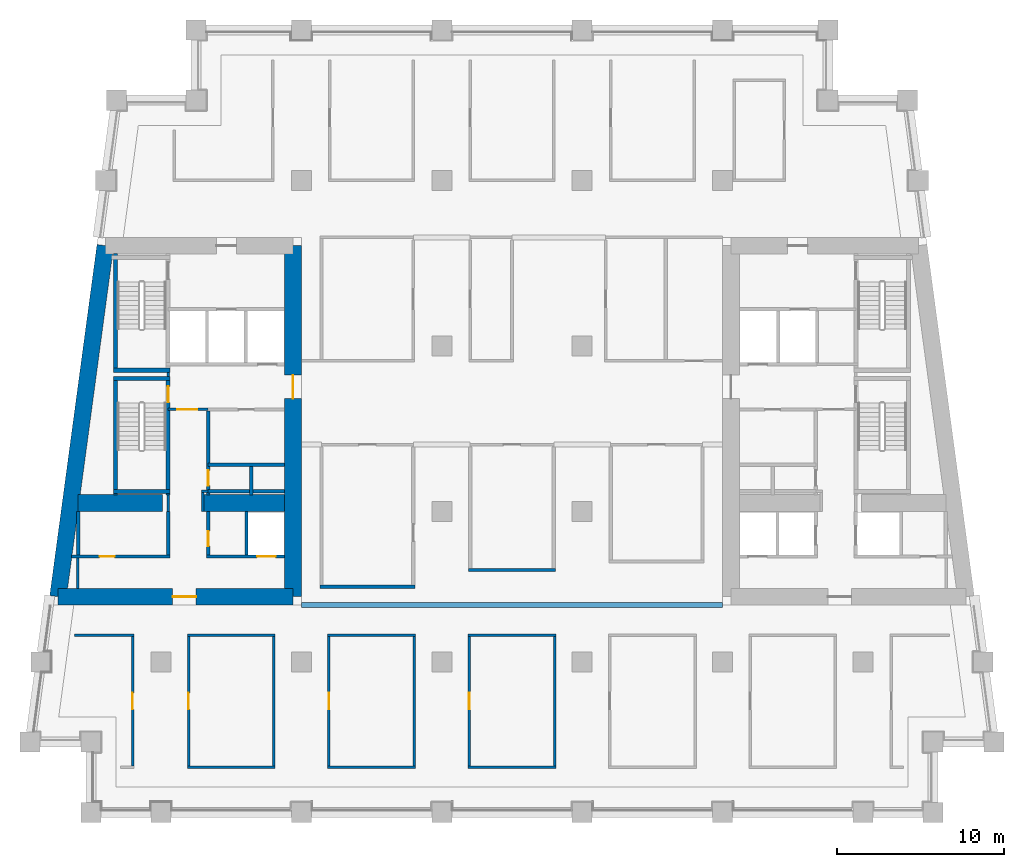
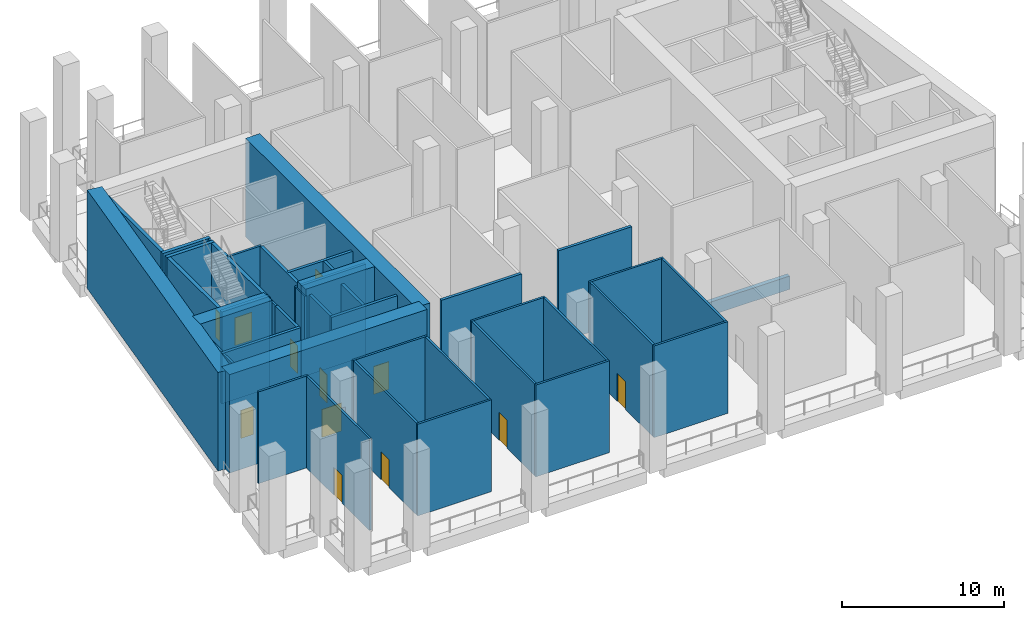
# One storey, part 2 of 10: 44 walls, 12 doors, 12 openings.
"""IFC4 building model written with IfcOpenShell, lengths in metres."""

from ifc_helpers import new_model, si_unit, direction, frame, frame_2d, origin, place, context, subcontext, project, spatial, rectangle, extrude, material, layer, layer_set, type_object, element, fill, save


model = new_model("IFC4")

# Units and contexts
model_context = context("Model", 3, precision=1e-05, world=origin(), true_north=direction((0.0, 1.0)))
body_context = subcontext(model_context, "Body", "Model", "MODEL_VIEW")
ifc_project = project(units=[si_unit("LENGTHUNIT", "METRE"), si_unit("AREAUNIT", "SQUARE_METRE"), si_unit("VOLUMEUNIT", "CUBIC_METRE"), si_unit("PLANEANGLEUNIT", "RADIAN"), si_unit("MASSUNIT", "GRAM", prefix="KILO")], contexts=[model_context])

# Site, building, storey
site_placement = place(None, origin())
site = spatial("IfcSite", under=ifc_project, at=site_placement, CompositionType="ELEMENT")
building_placement = place(site_placement, origin())
building = spatial("IfcBuilding", under=site, at=building_placement, Name="Candeia Pilgrim Tower and Theatre", CompositionType="ELEMENT")
storey_placement = place(building_placement, frame((0.0, 0.0, 135.39990234375)))
storey = spatial("IfcBuildingStorey", under=building, at=storey_placement, Name="L32", CompositionType="ELEMENT", Elevation=135.39990234375)

# Wall, opening, door
ifc_material_1 = material(Name="Concrete C70/85", Category="concrete")
ifc_layer_1 = layer(ifc_material_1, 1.0)
ifc_layer_set_1 = layer_set([ifc_layer_1], Name="Core wall 1000 C70/85")
wall_type_1 = type_object("IfcWallType", Name="Core wall 1000 C70/85", PredefinedType="SHEAR", material=ifc_layer_set_1)
wall_1_placement = place(storey_placement, frame((100.300048828125, 131.89990234375, 0.0), z_axis=(0.0, 0.0, 1.0), x_axis=(0.0, -1.0, 0.0)))
wall_1 = element("IfcWall", 1, at=wall_1_placement, inside=storey, type_object=wall_type_1, Name="Core wall W2", PredefinedType="SHEAR", context=body_context, shape_type="SweptSolid", body=[
    extrude(rectangle(XDim=21.0, YDim=1.0, at=frame_2d((10.5, 0.0))), origin(), (0.0, 0.0, 1.0), 7.400146484375),
])
opening_1_placement = place(wall_1_placement, frame((7.75, 0.0, 0.0)))
opening_1 = element("IfcOpeningElement", 2, at=opening_1_placement, cuts=wall_1, Name="Opening L32-D036", PredefinedType="OPENING", context=body_context, shape_type="SweptSolid", body=[
    extrude(rectangle(XDim=1.39990234375, YDim=2.10009765625, at=frame_2d((0.699951171875, 1.050048828125))), frame((0.0, 0.510009765625, 0.0), z_axis=(0.0, -1.0, 0.0), x_axis=(1.0, 0.0, 0.0)), (0.0, 0.0, 1.0), 1.02001953125),
])
ifc_material_2 = material(Name="Steel fire door set", Category="steel")
door_type_1 = type_object("IfcDoorType", Name="D-1400-FD60", OperationType="NOTDEFINED", PredefinedType="DOOR", material=ifc_material_2)
door_1_placement = place(opening_1_placement, origin())
door_1 = element("IfcDoor", 3, at=door_1_placement, inside=storey, type_object=door_type_1, Name="Door L32-D036", OperationType="SINGLE_SWING_RIGHT", OverallHeight=2.10009765625, OverallWidth=1.39990234375, PredefinedType="DOOR", context=body_context, shape_type="SweptSolid", body=[
    extrude(rectangle(XDim=1.39990234375, YDim=2.10009765625, at=frame_2d((0.699951171875, 1.050048828125))), frame((0.0, 0.02490234375, 0.0), z_axis=(0.0, -1.0, 0.0), x_axis=(1.0, 0.0, 0.0)), (0.0, 0.0, 1.0), 0.050048828125),
])
fill(opening_1, door_1)

wall_2_placement = place(storey_placement, frame((100.300048828125, 110.89990234375, 0.0), z_axis=(0.0, 0.0, 1.0), x_axis=(-1.0, 0.0, 0.0)))
wall_2 = element("IfcWall", 4, at=wall_2_placement, inside=storey, type_object=wall_type_1, Name="Core wall W3", PredefinedType="SHEAR", context=body_context, shape_type="SweptSolid", body=[
    extrude(rectangle(XDim=14.05908203125, YDim=1.0, at=frame_2d((7.029541015625, 0.0))), origin(), (0.0, 0.0, 1.0), 7.400146484375),
])
opening_2_placement = place(wall_2_placement, frame((5.801513671875, 0.0, 0.0)))
opening_2 = element("IfcOpeningElement", 5, at=opening_2_placement, cuts=wall_2, Name="Opening L32-D034", PredefinedType="OPENING", context=body_context, shape_type="SweptSolid", body=[
    extrude(rectangle(XDim=1.39990234375, YDim=2.10009765625, at=frame_2d((0.699951171875, 1.050048828125))), frame((0.0, 0.510009765625, 0.0), z_axis=(0.0, -1.0, 0.0), x_axis=(1.0, 0.0, 0.0)), (0.0, 0.0, 1.0), 1.02001953125),
])
door_2_placement = place(opening_2_placement, origin())
door_2 = element("IfcDoor", 6, at=door_2_placement, inside=storey, type_object=door_type_1, Name="Door L32-D034", OperationType="SINGLE_SWING_RIGHT", OverallHeight=2.10009765625, OverallWidth=1.39990234375, PredefinedType="DOOR", context=body_context, shape_type="SweptSolid", body=[
    extrude(rectangle(XDim=1.39990234375, YDim=2.10009765625, at=frame_2d((0.699951171875, 1.050048828125))), frame((0.0, 0.02490234375, 0.0), z_axis=(0.0, -1.0, 0.0), x_axis=(1.0, 0.0, 0.0)), (0.0, 0.0, 1.0), 0.050048828125),
])
fill(opening_2, door_2)

# Walls
wall_3_placement = place(storey_placement, frame((86.240966796875, 110.89990234375, 0.0), z_axis=(0.0, 0.0, 1.0), x_axis=(0.133411141623, 0.991060778808, 0.0)))
element("IfcWall", 7, at=wall_3_placement, inside=storey, type_object=wall_type_1, Name="Core wall W4", PredefinedType="SHEAR", context=body_context, shape_type="SweptSolid", body=[
    extrude(rectangle(XDim=21.189453125, YDim=1.0, at=frame_2d((10.5947265625, 0.0))), origin(), (0.0, 0.0, 1.0), 7.400146484375),
])
wall_4_placement = place(storey_placement, frame((87.423095703125, 116.5, 0.0), z_axis=(0.0, 0.0, 1.0), x_axis=(1.0, 0.0, 0.0)))
element("IfcWall", 8, at=wall_4_placement, inside=storey, type_object=wall_type_1, Name="Core wall W5", PredefinedType="SHEAR", context=body_context, shape_type="SweptSolid", body=[
    extrude(rectangle(XDim=5.076904296875, YDim=1.0, at=frame_2d((2.53857421875, 0.0))), origin(), (0.0, 0.0, 1.0), 7.400146484375),
])
wall_5_placement = place(storey_placement, frame((94.89990234375, 116.5, 0.0), z_axis=(0.0, 0.0, 1.0), x_axis=(1.0, 0.0, 0.0)))
element("IfcWall", 9, at=wall_5_placement, inside=storey, type_object=wall_type_1, Name="Core wall W6", PredefinedType="SHEAR", context=body_context, shape_type="SweptSolid", body=[
    extrude(rectangle(XDim=4.900146484375, YDim=1.0, at=frame_2d((2.4501953125, 0.0))), origin(), (0.0, 0.0, 1.0), 7.400146484375),
])
ifc_material_3 = material(Name="Concrete C30/37", Category="concrete")
ifc_layer_2 = layer(ifc_material_3, 0.300048828125)
ifc_layer_set_2 = layer_set([ifc_layer_2], Name="PL-300 planter kerb")
wall_type_2 = type_object("IfcWallType", Name="PL-300 planter kerb", PredefinedType="PARTITIONING", material=ifc_layer_set_2)
wall_6_placement = place(storey_placement, frame((100.800048828125, 110.39990234375, 0.0), z_axis=(0.0, 0.0, 1.0), x_axis=(1.0, 0.0, 0.0)))
element("IfcWall", 10, at=wall_6_placement, inside=storey, type_object=wall_type_2, Name="Planter kerb L32-015", PredefinedType="PARTITIONING", context=body_context, shape_type="SweptSolid", body=[
    extrude(rectangle(XDim=25.199951171875, YDim=0.300048828125, at=frame_2d((12.60009765625, 0.0))), origin(), (0.0, 0.0, 1.0), 1.0),
])
ifc_material_4 = material(Name="Gypsum board partition on steel studs", Category="steel")
ifc_layer_3 = layer(ifc_material_4, 0.14990234375)
ifc_layer_set_3 = layer_set([ifc_layer_3], Name="PW-150 lobby wall")
wall_type_3 = type_object("IfcWallType", Name="PW-150 lobby wall", PredefinedType="PARTITIONING", material=ifc_layer_set_3)
wall_7_placement = place(storey_placement, frame((94.824951171875, 117.199951171875, 0.0), z_axis=(0.0, 0.0, 1.0), x_axis=(1.0, 0.0, 0.0)))
element("IfcWall", 11, at=wall_7_placement, inside=storey, type_object=wall_type_3, Name="Lobby wall L32-025", PredefinedType="PARTITIONING", context=body_context, shape_type="SweptSolid", body=[
    extrude(rectangle(XDim=0.402099609375, YDim=0.14990234375, at=frame_2d((0.201171875, 0.0))), origin(), (0.0, 0.0, 1.0), 6.900146484375),
])

# Wall, opening, door
wall_8_placement = place(storey_placement, frame((92.826904296875, 122.10009765625, 0.0), z_axis=(0.0, 0.0, 1.0), x_axis=(1.0, 0.0, 0.0)))
wall_8 = element("IfcWall", 12, at=wall_8_placement, inside=storey, type_object=wall_type_3, Name="Lobby wall L32-040", PredefinedType="PARTITIONING", context=body_context, shape_type="SweptSolid", body=[
    extrude(rectangle(XDim=2.400146484375, YDim=0.14990234375, at=frame_2d((1.2001953125, 0.0))), origin(), (0.0, 0.0, 1.0), 6.900146484375),
])
opening_3_placement = place(wall_8_placement, frame((0.550048828125, 0.0, 0.0)))
opening_3 = element("IfcOpeningElement", 13, at=opening_3_placement, cuts=wall_8, Name="Opening L32-D021", PredefinedType="OPENING", context=body_context, shape_type="SweptSolid", body=[
    extrude(rectangle(XDim=1.199951171875, YDim=2.10009765625, at=frame_2d((0.60009765625, 1.050048828125))), frame((0.0, 0.0849609375, 0.0), z_axis=(0.0, -1.0, 0.0), x_axis=(1.0, 0.0, 0.0)), (0.0, 0.0, 1.0), 0.169921875),
])
door_type_2 = type_object("IfcDoorType", Name="D-1200-FD60", OperationType="NOTDEFINED", PredefinedType="DOOR", material=ifc_material_2)
door_3_placement = place(opening_3_placement, origin())
door_3 = element("IfcDoor", 14, at=door_3_placement, inside=storey, type_object=door_type_2, Name="Door L32-D021", OperationType="SINGLE_SWING_LEFT", OverallHeight=2.10009765625, OverallWidth=1.199951171875, PredefinedType="DOOR", context=body_context, shape_type="SweptSolid", body=[
    extrude(rectangle(XDim=1.199951171875, YDim=2.10009765625, at=frame_2d((0.60009765625, 1.050048828125))), frame((0.0, 0.02490234375, 0.0), z_axis=(0.0, -1.0, 0.0), x_axis=(1.0, 0.0, 0.0)), (0.0, 0.0, 1.0), 0.050048828125),
])
fill(opening_3, door_3)

# Walls
wall_9_placement = place(storey_placement, frame((87.428955078125, 111.39990234375, 0.0), z_axis=(0.0, 0.0, 1.0), x_axis=(0.0, 1.0, 0.0)))
element("IfcWall", 15, at=wall_9_placement, inside=storey, type_object=wall_type_3, Name="Lobby wall L32-069", PredefinedType="PARTITIONING", context=body_context, shape_type="SweptSolid", body=[
    extrude(rectangle(XDim=1.800048828125, YDim=0.14990234375, at=frame_2d((0.89990234375, 0.0))), origin(), (0.0, 0.0, 1.0), 6.900146484375),
])
wall_10_placement = place(storey_placement, frame((92.826904296875, 116.0, 0.0), z_axis=(0.0, 0.0, 1.0), x_axis=(0.0, 1.0, 0.0)))
element("IfcWall", 16, at=wall_10_placement, inside=storey, type_object=wall_type_3, Name="Lobby wall L32-074", PredefinedType="PARTITIONING", context=body_context, shape_type="SweptSolid", body=[
    extrude(rectangle(XDim=0.969970703125, YDim=0.14990234375, at=frame_2d((0.48486328125, 0.0))), origin(), (0.0, 0.0, 1.0), 6.900146484375),
])
wall_11_placement = place(storey_placement, frame((92.826904296875, 124.074951171875, 0.0), z_axis=(0.0, 0.0, 1.0), x_axis=(0.0, 1.0, 0.0)))
element("IfcWall", 17, at=wall_11_placement, inside=storey, type_object=wall_type_3, Name="Lobby wall L32-075", PredefinedType="PARTITIONING", context=body_context, shape_type="SweptSolid", body=[
    extrude(rectangle(XDim=0.25, YDim=0.14990234375, at=frame_2d((0.125, 0.0))), origin(), (0.0, 0.0, 1.0), 6.900146484375),
])
wall_12_placement = place(storey_placement, frame((94.89990234375, 116.0, 0.0), z_axis=(0.0, 0.0, 1.0), x_axis=(0.0, 1.0, 0.0)))
element("IfcWall", 18, at=wall_12_placement, inside=storey, type_object=wall_type_3, Name="Lobby wall L32-080", PredefinedType="PARTITIONING", context=body_context, shape_type="SweptSolid", body=[
    extrude(rectangle(XDim=1.125, YDim=0.14990234375, at=frame_2d((0.5625, 0.0))), origin(), (0.0, 0.0, 1.0), 6.900146484375),
])
ifc_layer_4 = layer(ifc_material_4, 0.14990234375)
ifc_layer_set_4 = layer_set([ifc_layer_4], Name="PW-150 unit wall")
wall_type_4 = type_object("IfcWallType", Name="PW-150 unit wall", PredefinedType="PARTITIONING", material=ifc_layer_set_4)
for number, where, z_axis, x_axis, name in (
    (19, (93.97509765625, 100.699951171875, 0.0), (0.0, 0.0, 1.0), (1.0, 0.0, 0.0), "Unit wall L32-002"),
    (20, (102.375, 100.699951171875, 0.0), (0.0, 0.0, 1.0), (1.0, 0.0, 0.0), "Unit wall L32-003"),
    (21, (110.77490234375, 100.699951171875, 0.0), (0.0, 0.0, 1.0), (1.0, 0.0, 0.0), "Unit wall L32-004"),
):
    element("IfcWall", number, at=place(storey_placement, frame(where, z_axis=z_axis, x_axis=x_axis)), inside=storey, type_object=wall_type_4, Name=name, PredefinedType="PARTITIONING", context=body_context, shape_type="SweptSolid", body=[
        extrude(rectangle(XDim=5.25, YDim=0.14990234375, at=frame_2d((2.625, 0.0))), origin(), (0.0, 0.0, 1.0), 6.900146484375),
    ])
wall_13_placement = place(storey_placement, frame((87.233154296875, 108.60009765625, 0.0), z_axis=(0.0, 0.0, 1.0), x_axis=(1.0, 0.0, 0.0)))
element("IfcWall", 22, at=wall_13_placement, inside=storey, type_object=wall_type_4, Name="Unit wall L32-008", PredefinedType="PARTITIONING", context=body_context, shape_type="SweptSolid", body=[
    extrude(rectangle(XDim=3.541748046875, YDim=0.14990234375, at=frame_2d((1.77099609375, 0.0))), origin(), (0.0, 0.0, 1.0), 6.900146484375),
])
for number, where, z_axis, x_axis, name in (
    (23, (93.97509765625, 108.60009765625, 0.0), (0.0, 0.0, 1.0), (1.0, 0.0, 0.0), "Unit wall L32-009"),
    (24, (102.375, 108.60009765625, 0.0), (0.0, 0.0, 1.0), (1.0, 0.0, 0.0), "Unit wall L32-010"),
    (25, (110.77490234375, 108.60009765625, 0.0), (0.0, 0.0, 1.0), (1.0, 0.0, 0.0), "Unit wall L32-011"),
):
    element("IfcWall", number, at=place(storey_placement, frame(where, z_axis=z_axis, x_axis=x_axis)), inside=storey, type_object=wall_type_4, Name=name, PredefinedType="PARTITIONING", context=body_context, shape_type="SweptSolid", body=[
        extrude(rectangle(XDim=5.25, YDim=0.14990234375, at=frame_2d((2.625, 0.0))), origin(), (0.0, 0.0, 1.0), 6.900146484375),
    ])

# Wall, opening, door
wall_14_placement = place(storey_placement, frame((90.699951171875, 100.77490234375, 0.0), z_axis=(0.0, 0.0, 1.0), x_axis=(0.0, 1.0, 0.0)))
wall_14 = element("IfcWall", 26, at=wall_14_placement, inside=storey, type_object=wall_type_4, Name="Unit wall L32-072", PredefinedType="PARTITIONING", context=body_context, shape_type="SweptSolid", body=[
    extrude(rectangle(XDim=7.75, YDim=0.14990234375, at=frame_2d((3.875, 0.0))), origin(), (0.0, 0.0, 1.0), 6.900146484375),
])
opening_4_placement = place(wall_14_placement, frame((3.375, 0.0, 0.0)))
opening_4 = element("IfcOpeningElement", 27, at=opening_4_placement, cuts=wall_14, Name="Opening L32-D009", PredefinedType="OPENING", context=body_context, shape_type="SweptSolid", body=[
    extrude(rectangle(XDim=1.0, YDim=2.10009765625, at=frame_2d((0.5, 1.050048828125))), frame((0.0, 0.0849609375, 0.0), z_axis=(0.0, -1.0, 0.0), x_axis=(1.0, 0.0, 0.0)), (0.0, 0.0, 1.0), 0.169921875),
])
ifc_material_5 = material(Name="Timber door leaf", Category="wood")
door_type_3 = type_object("IfcDoorType", Name="D-1000", OperationType="NOTDEFINED", PredefinedType="DOOR", material=ifc_material_5)
door_4_placement = place(opening_4_placement, origin())
door_4 = element("IfcDoor", 28, at=door_4_placement, inside=storey, type_object=door_type_3, Name="Door L32-D009", OperationType="SINGLE_SWING_LEFT", OverallHeight=2.10009765625, OverallWidth=1.0, PredefinedType="DOOR", context=body_context, shape_type="SweptSolid", body=[
    extrude(rectangle(XDim=1.0, YDim=2.10009765625, at=frame_2d((0.5, 1.050048828125))), frame((0.0, 0.02490234375, 0.0), z_axis=(0.0, -1.0, 0.0), x_axis=(1.0, 0.0, 0.0)), (0.0, 0.0, 1.0), 0.050048828125),
])
fill(opening_4, door_4)

wall_15_placement = place(storey_placement, frame((94.050048828125, 100.77490234375, 0.0), z_axis=(0.0, 0.0, 1.0), x_axis=(0.0, 1.0, 0.0)))
wall_15 = element("IfcWall", 29, at=wall_15_placement, inside=storey, type_object=wall_type_4, Name="Unit wall L32-079", PredefinedType="PARTITIONING", context=body_context, shape_type="SweptSolid", body=[
    extrude(rectangle(XDim=7.75, YDim=0.14990234375, at=frame_2d((3.875, 0.0))), origin(), (0.0, 0.0, 1.0), 6.900146484375),
])
opening_5_placement = place(wall_15_placement, frame((3.375, 0.0, 0.0)))
opening_5 = element("IfcOpeningElement", 30, at=opening_5_placement, cuts=wall_15, Name="Opening L32-D010", PredefinedType="OPENING", context=body_context, shape_type="SweptSolid", body=[
    extrude(rectangle(XDim=1.0, YDim=2.10009765625, at=frame_2d((0.5, 1.050048828125))), frame((0.0, 0.0849609375, 0.0), z_axis=(0.0, -1.0, 0.0), x_axis=(1.0, 0.0, 0.0)), (0.0, 0.0, 1.0), 0.169921875),
])
door_5_placement = place(opening_5_placement, origin())
door_5 = element("IfcDoor", 31, at=door_5_placement, inside=storey, type_object=door_type_3, Name="Door L32-D010", OperationType="SINGLE_SWING_RIGHT", OverallHeight=2.10009765625, OverallWidth=1.0, PredefinedType="DOOR", context=body_context, shape_type="SweptSolid", body=[
    extrude(rectangle(XDim=1.0, YDim=2.10009765625, at=frame_2d((0.5, 1.050048828125))), frame((0.0, 0.02490234375, 0.0), z_axis=(0.0, -1.0, 0.0), x_axis=(1.0, 0.0, 0.0)), (0.0, 0.0, 1.0), 0.050048828125),
])
fill(opening_5, door_5)

# Wall
wall_16_placement = place(storey_placement, frame((99.14990234375, 100.77490234375, 0.0), z_axis=(0.0, 0.0, 1.0), x_axis=(0.0, 1.0, 0.0)))
element("IfcWall", 32, at=wall_16_placement, inside=storey, type_object=wall_type_4, Name="Unit wall L32-088", PredefinedType="PARTITIONING", context=body_context, shape_type="SweptSolid", body=[
    extrude(rectangle(XDim=7.75, YDim=0.14990234375, at=frame_2d((3.875, 0.0))), origin(), (0.0, 0.0, 1.0), 6.900146484375),
])

# Wall, opening, door
wall_17_placement = place(storey_placement, frame((102.449951171875, 100.77490234375, 0.0), z_axis=(0.0, 0.0, 1.0), x_axis=(0.0, 1.0, 0.0)))
wall_17 = element("IfcWall", 33, at=wall_17_placement, inside=storey, type_object=wall_type_4, Name="Unit wall L32-091", PredefinedType="PARTITIONING", context=body_context, shape_type="SweptSolid", body=[
    extrude(rectangle(XDim=7.75, YDim=0.14990234375, at=frame_2d((3.875, 0.0))), origin(), (0.0, 0.0, 1.0), 6.900146484375),
])
opening_6_placement = place(wall_17_placement, frame((3.375, 0.0, 0.0)))
opening_6 = element("IfcOpeningElement", 34, at=opening_6_placement, cuts=wall_17, Name="Opening L32-D011", PredefinedType="OPENING", context=body_context, shape_type="SweptSolid", body=[
    extrude(rectangle(XDim=1.0, YDim=2.10009765625, at=frame_2d((0.5, 1.050048828125))), frame((0.0, 0.0849609375, 0.0), z_axis=(0.0, -1.0, 0.0), x_axis=(1.0, 0.0, 0.0)), (0.0, 0.0, 1.0), 0.169921875),
])
door_6_placement = place(opening_6_placement, origin())
door_6 = element("IfcDoor", 35, at=door_6_placement, inside=storey, type_object=door_type_3, Name="Door L32-D011", OperationType="SINGLE_SWING_LEFT", OverallHeight=2.10009765625, OverallWidth=1.0, PredefinedType="DOOR", context=body_context, shape_type="SweptSolid", body=[
    extrude(rectangle(XDim=1.0, YDim=2.10009765625, at=frame_2d((0.5, 1.050048828125))), frame((0.0, 0.02490234375, 0.0), z_axis=(0.0, -1.0, 0.0), x_axis=(1.0, 0.0, 0.0)), (0.0, 0.0, 1.0), 0.050048828125),
])
fill(opening_6, door_6)

# Wall
wall_18_placement = place(storey_placement, frame((107.550048828125, 100.77490234375, 0.0), z_axis=(0.0, 0.0, 1.0), x_axis=(0.0, 1.0, 0.0)))
element("IfcWall", 36, at=wall_18_placement, inside=storey, type_object=wall_type_4, Name="Unit wall L32-096", PredefinedType="PARTITIONING", context=body_context, shape_type="SweptSolid", body=[
    extrude(rectangle(XDim=7.75, YDim=0.14990234375, at=frame_2d((3.875, 0.0))), origin(), (0.0, 0.0, 1.0), 6.900146484375),
])

# Wall, opening, door
wall_19_placement = place(storey_placement, frame((110.85009765625, 100.77490234375, 0.0), z_axis=(0.0, 0.0, 1.0), x_axis=(0.0, 1.0, 0.0)))
wall_19 = element("IfcWall", 37, at=wall_19_placement, inside=storey, type_object=wall_type_4, Name="Unit wall L32-097", PredefinedType="PARTITIONING", context=body_context, shape_type="SweptSolid", body=[
    extrude(rectangle(XDim=7.75, YDim=0.14990234375, at=frame_2d((3.875, 0.0))), origin(), (0.0, 0.0, 1.0), 6.900146484375),
])
opening_7_placement = place(wall_19_placement, frame((3.375, 0.0, 0.0)))
opening_7 = element("IfcOpeningElement", 38, at=opening_7_placement, cuts=wall_19, Name="Opening L32-D008", PredefinedType="OPENING", context=body_context, shape_type="SweptSolid", body=[
    extrude(rectangle(XDim=1.0, YDim=2.10009765625, at=frame_2d((0.5, 1.050048828125))), frame((0.0, 0.0849609375, 0.0), z_axis=(0.0, -1.0, 0.0), x_axis=(1.0, 0.0, 0.0)), (0.0, 0.0, 1.0), 0.169921875),
])
door_7_placement = place(opening_7_placement, origin())
door_7 = element("IfcDoor", 39, at=door_7_placement, inside=storey, type_object=door_type_3, Name="Door L32-D008", OperationType="SINGLE_SWING_RIGHT", OverallHeight=2.10009765625, OverallWidth=1.0, PredefinedType="DOOR", context=body_context, shape_type="SweptSolid", body=[
    extrude(rectangle(XDim=1.0, YDim=2.10009765625, at=frame_2d((0.5, 1.050048828125))), frame((0.0, 0.02490234375, 0.0), z_axis=(0.0, -1.0, 0.0), x_axis=(1.0, 0.0, 0.0)), (0.0, 0.0, 1.0), 0.050048828125),
])
fill(opening_7, door_7)

# Walls
wall_20_placement = place(storey_placement, frame((115.949951171875, 100.77490234375, 0.0), z_axis=(0.0, 0.0, 1.0), x_axis=(0.0, 1.0, 0.0)))
element("IfcWall", 40, at=wall_20_placement, inside=storey, type_object=wall_type_4, Name="Unit wall L32-104", PredefinedType="PARTITIONING", context=body_context, shape_type="SweptSolid", body=[
    extrude(rectangle(XDim=7.75, YDim=0.14990234375, at=frame_2d((3.875, 0.0))), origin(), (0.0, 0.0, 1.0), 6.900146484375),
])
ifc_layer_5 = layer(ifc_material_4, 0.199951171875)
ifc_layer_set_5 = layer_set([ifc_layer_5], Name="PW-200 party wall")
wall_type_5 = type_object("IfcWallType", Name="PW-200 party wall", PredefinedType="PARTITIONING", material=ifc_layer_set_5)
wall_21_placement = place(storey_placement, frame((101.89990234375, 111.5, 0.0), z_axis=(0.0, 0.0, 1.0), x_axis=(1.0, 0.0, 0.0)))
element("IfcWall", 41, at=wall_21_placement, inside=storey, type_object=wall_type_5, Name="Party wall L32-016", PredefinedType="PARTITIONING", context=body_context, shape_type="SweptSolid", body=[
    extrude(rectangle(XDim=5.7001953125, YDim=0.199951171875, at=frame_2d((2.85009765625, 0.0))), origin(), (0.0, 0.0, 1.0), 6.900146484375),
])
wall_22_placement = place(storey_placement, frame((110.800048828125, 112.5, 0.0), z_axis=(0.0, 0.0, 1.0), x_axis=(1.0, 0.0, 0.0)))
element("IfcWall", 42, at=wall_22_placement, inside=storey, type_object=wall_type_5, Name="Party wall L32-017", PredefinedType="PARTITIONING", context=body_context, shape_type="SweptSolid", body=[
    extrude(rectangle(XDim=5.199951171875, YDim=0.199951171875, at=frame_2d((2.60009765625, 0.0))), origin(), (0.0, 0.0, 1.0), 6.900146484375),
])

# Wall, opening, door
ifc_material_6 = material(Name="Concrete C40/50", Category="concrete")
ifc_layer_6 = layer(ifc_material_6, 0.199951171875)
ifc_layer_set_6 = layer_set([ifc_layer_6], Name="SW-200 shaft wall")
wall_type_6 = type_object("IfcWallType", Name="SW-200 shaft wall", PredefinedType="PARTITIONING", material=ifc_layer_set_6)
wall_23_placement = place(storey_placement, frame((87.03857421875, 113.300048828125, 0.0), z_axis=(0.0, 0.0, 1.0), x_axis=(1.0, 0.0, 0.0)))
wall_23 = element("IfcWall", 43, at=wall_23_placement, inside=storey, type_object=wall_type_6, Name="Shaft wall L32-019", PredefinedType="PARTITIONING", context=body_context, shape_type="SweptSolid", body=[
    extrude(rectangle(XDim=5.888427734375, YDim=0.199951171875, at=frame_2d((2.9443359375, 0.0))), origin(), (0.0, 0.0, 1.0), 6.900146484375),
])
opening_8_placement = place(wall_23_placement, frame((1.689453125, 0.0, 0.0)))
opening_8 = element("IfcOpeningElement", 44, at=opening_8_placement, cuts=wall_23, Name="Opening L32-D026", PredefinedType="OPENING", context=body_context, shape_type="SweptSolid", body=[
    extrude(rectangle(XDim=0.89990234375, YDim=2.10009765625, at=frame_2d((0.449951171875, 1.050048828125))), frame((0.0, 0.10986328125, 0.0), z_axis=(0.0, -1.0, 0.0), x_axis=(1.0, 0.0, 0.0)), (0.0, 0.0, 1.0), 0.219970703125),
])
door_type_4 = type_object("IfcDoorType", Name="D-900-FD60", OperationType="NOTDEFINED", PredefinedType="DOOR", material=ifc_material_2)
door_8_placement = place(opening_8_placement, origin())
door_8 = element("IfcDoor", 45, at=door_8_placement, inside=storey, type_object=door_type_4, Name="Door L32-D026", OperationType="SINGLE_SWING_LEFT", OverallHeight=2.10009765625, OverallWidth=0.89990234375, PredefinedType="DOOR", context=body_context, shape_type="SweptSolid", body=[
    extrude(rectangle(XDim=0.89990234375, YDim=2.10009765625, at=frame_2d((0.449951171875, 1.050048828125))), frame((0.0, 0.02490234375, 0.0), z_axis=(0.0, -1.0, 0.0), x_axis=(1.0, 0.0, 0.0)), (0.0, 0.0, 1.0), 0.050048828125),
])
fill(opening_8, door_8)

wall_24_placement = place(storey_placement, frame((95.126953125, 113.300048828125, 0.0), z_axis=(0.0, 0.0, 1.0), x_axis=(1.0, 0.0, 0.0)))
wall_24 = element("IfcWall", 46, at=wall_24_placement, inside=storey, type_object=wall_type_6, Name="Shaft wall L32-020", PredefinedType="PARTITIONING", context=body_context, shape_type="SweptSolid", body=[
    extrude(rectangle(XDim=4.673095703125, YDim=0.199951171875, at=frame_2d((2.33642578125, 0.0))), origin(), (0.0, 0.0, 1.0), 6.900146484375),
])
opening_9_placement = place(wall_24_placement, frame((3.028076171875, 0.0, 0.0)))
opening_9 = element("IfcOpeningElement", 47, at=opening_9_placement, cuts=wall_24, Name="Opening L32-LD03", PredefinedType="OPENING", context=body_context, shape_type="SweptSolid", body=[
    extrude(rectangle(XDim=1.10009765625, YDim=2.10009765625, at=frame_2d((0.550048828125, 1.050048828125))), frame((0.0, 0.10986328125, 0.0), z_axis=(0.0, -1.0, 0.0), x_axis=(1.0, 0.0, 0.0)), (0.0, 0.0, 1.0), 0.219970703125),
])
ifc_material_7 = material(Name="Glazed aluminium landing door", Category="aluminium")
door_type_5 = type_object("IfcDoorType", Name="LD-1100-EI120", OperationType="SLIDING_TO_LEFT", PredefinedType="DOOR", material=ifc_material_7)
door_9_placement = place(opening_9_placement, origin())
door_9 = element("IfcDoor", 48, at=door_9_placement, inside=storey, type_object=door_type_5, Name="Landing door 03 L32", OperationType="SLIDING_TO_LEFT", OverallHeight=2.10009765625, OverallWidth=1.10009765625, PredefinedType="DOOR", context=body_context, shape_type="SweptSolid", body=[
    extrude(rectangle(XDim=1.10009765625, YDim=2.10009765625, at=frame_2d((0.550048828125, 1.050048828125))), frame((0.0, 0.02490234375, 0.0), z_axis=(0.0, -1.0, 0.0), x_axis=(1.0, 0.0, 0.0)), (0.0, 0.0, 1.0), 0.050048828125),
])
fill(opening_9, door_9)

# Walls
for number, where, z_axis, x_axis, name in (
    (49, (95.22705078125, 117.199951171875, 0.0), (0.0, 0.0, 1.0), (1.0, 0.0, 0.0), "Shaft wall L32-023"),
    (50, (95.22705078125, 118.800048828125, 0.0), (0.0, 0.0, 1.0), (1.0, 0.0, 0.0), "Shaft wall L32-029"),
):
    element("IfcWall", number, at=place(storey_placement, frame(where, z_axis=z_axis, x_axis=x_axis)), inside=storey, type_object=wall_type_6, Name=name, PredefinedType="PARTITIONING", context=body_context, shape_type="SweptSolid", body=[
        extrude(rectangle(XDim=4.572998046875, YDim=0.199951171875, at=frame_2d((2.28662109375, 0.0))), origin(), (0.0, 0.0, 1.0), 6.900146484375),
    ])
for number, where, z_axis, x_axis, name in (
    (51, (87.451171875, 113.39990234375, 0.0), (0.0, 0.0, 1.0), (0.0, 1.0, 0.0), "Shaft wall L32-068"),
    (52, (92.826904296875, 113.39990234375, 0.0), (0.0, 0.0, 1.0), (0.0, 1.0, 0.0), "Shaft wall L32-073"),
):
    element("IfcWall", number, at=place(storey_placement, frame(where, z_axis=z_axis, x_axis=x_axis)), inside=storey, type_object=wall_type_6, Name=name, PredefinedType="PARTITIONING", context=body_context, shape_type="SweptSolid", body=[
        extrude(rectangle(XDim=2.60009765625, YDim=0.199951171875, at=frame_2d((1.300048828125, 0.0))), origin(), (0.0, 0.0, 1.0), 6.900146484375),
    ])

# Wall, opening, door
wall_25_placement = place(storey_placement, frame((95.22705078125, 113.39990234375, 0.0), z_axis=(0.0, 0.0, 1.0), x_axis=(0.0, 1.0, 0.0)))
wall_25 = element("IfcWall", 53, at=wall_25_placement, inside=storey, type_object=wall_type_6, Name="Shaft wall L32-082", PredefinedType="PARTITIONING", context=body_context, shape_type="SweptSolid", body=[
    extrude(rectangle(XDim=2.60009765625, YDim=0.199951171875, at=frame_2d((1.300048828125, 0.0))), origin(), (0.0, 0.0, 1.0), 6.900146484375),
])
opening_10_placement = place(wall_25_placement, frame((0.52490234375, 0.0, 0.0)))
opening_10 = element("IfcOpeningElement", 54, at=opening_10_placement, cuts=wall_25, Name="Opening L32-D027", PredefinedType="OPENING", context=body_context, shape_type="SweptSolid", body=[
    extrude(rectangle(XDim=0.89990234375, YDim=2.10009765625, at=frame_2d((0.449951171875, 1.050048828125))), frame((0.0, 0.10986328125, 0.0), z_axis=(0.0, -1.0, 0.0), x_axis=(1.0, 0.0, 0.0)), (0.0, 0.0, 1.0), 0.219970703125),
])
door_10_placement = place(opening_10_placement, origin())
door_10 = element("IfcDoor", 55, at=door_10_placement, inside=storey, type_object=door_type_4, Name="Door L32-D027", OperationType="SINGLE_SWING_RIGHT", OverallHeight=2.10009765625, OverallWidth=0.89990234375, PredefinedType="DOOR", context=body_context, shape_type="SweptSolid", body=[
    extrude(rectangle(XDim=0.89990234375, YDim=2.10009765625, at=frame_2d((0.449951171875, 1.050048828125))), frame((0.0, 0.02490234375, 0.0), z_axis=(0.0, -1.0, 0.0), x_axis=(1.0, 0.0, 0.0)), (0.0, 0.0, 1.0), 0.050048828125),
])
fill(opening_10, door_10)

wall_26_placement = place(storey_placement, frame((95.22705078125, 116.969970703125, 0.0), z_axis=(0.0, 0.0, 1.0), x_axis=(0.0, 1.0, 0.0)))
wall_26 = element("IfcWall", 56, at=wall_26_placement, inside=storey, type_object=wall_type_6, Name="Shaft wall L32-083", PredefinedType="PARTITIONING", context=body_context, shape_type="SweptSolid", body=[
    extrude(rectangle(XDim=5.030029296875, YDim=0.199951171875, at=frame_2d((2.51513671875, 0.0))), origin(), (0.0, 0.0, 1.0), 6.900146484375),
])
opening_11_placement = place(wall_26_placement, frame((0.580078125, 0.0, 0.0)))
opening_11 = element("IfcOpeningElement", 57, at=opening_11_placement, cuts=wall_26, Name="Opening L32-D025", PredefinedType="OPENING", context=body_context, shape_type="SweptSolid", body=[
    extrude(rectangle(XDim=0.89990234375, YDim=2.10009765625, at=frame_2d((0.449951171875, 1.050048828125))), frame((0.0, 0.10986328125, 0.0), z_axis=(0.0, -1.0, 0.0), x_axis=(1.0, 0.0, 0.0)), (0.0, 0.0, 1.0), 0.219970703125),
])
door_11_placement = place(opening_11_placement, origin())
door_11 = element("IfcDoor", 58, at=door_11_placement, inside=storey, type_object=door_type_4, Name="Door L32-D025", OperationType="SINGLE_SWING_LEFT", OverallHeight=2.10009765625, OverallWidth=0.89990234375, PredefinedType="DOOR", context=body_context, shape_type="SweptSolid", body=[
    extrude(rectangle(XDim=0.89990234375, YDim=2.10009765625, at=frame_2d((0.449951171875, 1.050048828125))), frame((0.0, 0.02490234375, 0.0), z_axis=(0.0, -1.0, 0.0), x_axis=(1.0, 0.0, 0.0)), (0.0, 0.0, 1.0), 0.050048828125),
])
fill(opening_11, door_11)

# Walls
wall_27_placement = place(storey_placement, frame((97.513427734375, 113.39990234375, 0.0), z_axis=(0.0, 0.0, 1.0), x_axis=(0.0, 1.0, 0.0)))
element("IfcWall", 59, at=wall_27_placement, inside=storey, type_object=wall_type_6, Name="Shaft wall L32-085", PredefinedType="PARTITIONING", context=body_context, shape_type="SweptSolid", body=[
    extrude(rectangle(XDim=2.60009765625, YDim=0.199951171875, at=frame_2d((1.300048828125, 0.0))), origin(), (0.0, 0.0, 1.0), 6.900146484375),
])
wall_28_placement = place(storey_placement, frame((97.800048828125, 116.969970703125, 0.0), z_axis=(0.0, 0.0, 1.0), x_axis=(0.0, 1.0, 0.0)))
element("IfcWall", 60, at=wall_28_placement, inside=storey, type_object=wall_type_6, Name="Shaft wall L32-086", PredefinedType="PARTITIONING", context=body_context, shape_type="SweptSolid", body=[
    extrude(rectangle(XDim=1.72998046875, YDim=0.199951171875, at=frame_2d((0.864990234375, 0.0))), origin(), (0.0, 0.0, 1.0), 6.900146484375),
])
ifc_layer_7 = layer(ifc_material_6, 0.25)
ifc_layer_set_7 = layer_set([ifc_layer_7], Name="SW-250 stair wall")
wall_type_7 = type_object("IfcWallType", Name="SW-250 stair wall", PredefinedType="PARTITIONING", material=ifc_layer_set_7)
for number, where, z_axis, x_axis, name in (
    (61, (89.552001953125, 117.199951171875, 0.0), (0.0, 0.0, 1.0), (1.0, 0.0, 0.0), "Stair wall L32-027"),
    (62, (89.552001953125, 123.949951171875, 0.0), (0.0, 0.0, 1.0), (1.0, 0.0, 0.0), "Stair wall L32-042"),
    (63, (89.552001953125, 124.449951171875, 0.0), (0.0, 0.0, 1.0), (1.0, 0.0, 0.0), "Stair wall L32-044"),
):
    element("IfcWall", number, at=place(storey_placement, frame(where, z_axis=z_axis, x_axis=x_axis)), inside=storey, type_object=wall_type_7, Name=name, PredefinedType="PARTITIONING", context=body_context, shape_type="SweptSolid", body=[
        extrude(rectangle(XDim=3.39990234375, YDim=0.25, at=frame_2d((1.699951171875, 0.0))), origin(), (0.0, 0.0, 1.0), 6.900146484375),
    ])
for number, where, z_axis, x_axis, name in (
    (64, (89.677001953125, 116.969970703125, 0.0), (0.0, 0.0, 1.0), (0.0, 1.0, 0.0), "Stair wall L32-070"),
    (65, (89.677001953125, 124.574951171875, 0.0), (0.0, 0.0, 1.0), (0.0, 1.0, 0.0), "Stair wall L32-071"),
):
    element("IfcWall", number, at=place(storey_placement, frame(where, z_axis=z_axis, x_axis=x_axis)), inside=storey, type_object=wall_type_7, Name=name, PredefinedType="PARTITIONING", context=body_context, shape_type="SweptSolid", body=[
        extrude(rectangle(XDim=6.85498046875, YDim=0.25, at=frame_2d((3.427490234375, 0.0))), origin(), (0.0, 0.0, 1.0), 6.900146484375),
    ])

# Wall, opening, door
wall_29_placement = place(storey_placement, frame((92.826904296875, 116.969970703125, 0.0), z_axis=(0.0, 0.0, 1.0), x_axis=(0.0, 1.0, 0.0)))
wall_29 = element("IfcWall", 66, at=wall_29_placement, inside=storey, type_object=wall_type_7, Name="Stair wall L32-076", PredefinedType="PARTITIONING", context=body_context, shape_type="SweptSolid", body=[
    extrude(rectangle(XDim=6.85498046875, YDim=0.25, at=frame_2d((3.427490234375, 0.0))), origin(), (0.0, 0.0, 1.0), 6.900146484375),
])
opening_12_placement = place(wall_29_placement, frame((5.554931640625, 0.0, 0.0)))
opening_12 = element("IfcOpeningElement", 67, at=opening_12_placement, cuts=wall_29, Name="Opening L32-D023", PredefinedType="OPENING", context=body_context, shape_type="SweptSolid", body=[
    extrude(rectangle(XDim=0.949951171875, YDim=2.10009765625, at=frame_2d((0.47509765625, 1.050048828125))), frame((0.0, 0.135009765625, 0.0), z_axis=(0.0, -1.0, 0.0), x_axis=(1.0, 0.0, 0.0)), (0.0, 0.0, 1.0), 0.27001953125),
])
door_type_6 = type_object("IfcDoorType", Name="D-950-FD60", OperationType="NOTDEFINED", PredefinedType="DOOR", material=ifc_material_2)
door_12_placement = place(opening_12_placement, origin())
door_12 = element("IfcDoor", 68, at=door_12_placement, inside=storey, type_object=door_type_6, Name="Door L32-D023", OperationType="SINGLE_SWING_LEFT", OverallHeight=2.10009765625, OverallWidth=0.949951171875, PredefinedType="DOOR", context=body_context, shape_type="SweptSolid", body=[
    extrude(rectangle(XDim=0.949951171875, YDim=2.10009765625, at=frame_2d((0.47509765625, 1.050048828125))), frame((0.0, 0.02490234375, 0.0), z_axis=(0.0, -1.0, 0.0), x_axis=(1.0, 0.0, 0.0)), (0.0, 0.0, 1.0), 0.050048828125),
])
fill(opening_12, door_12)

save(model, "model.ifc")
